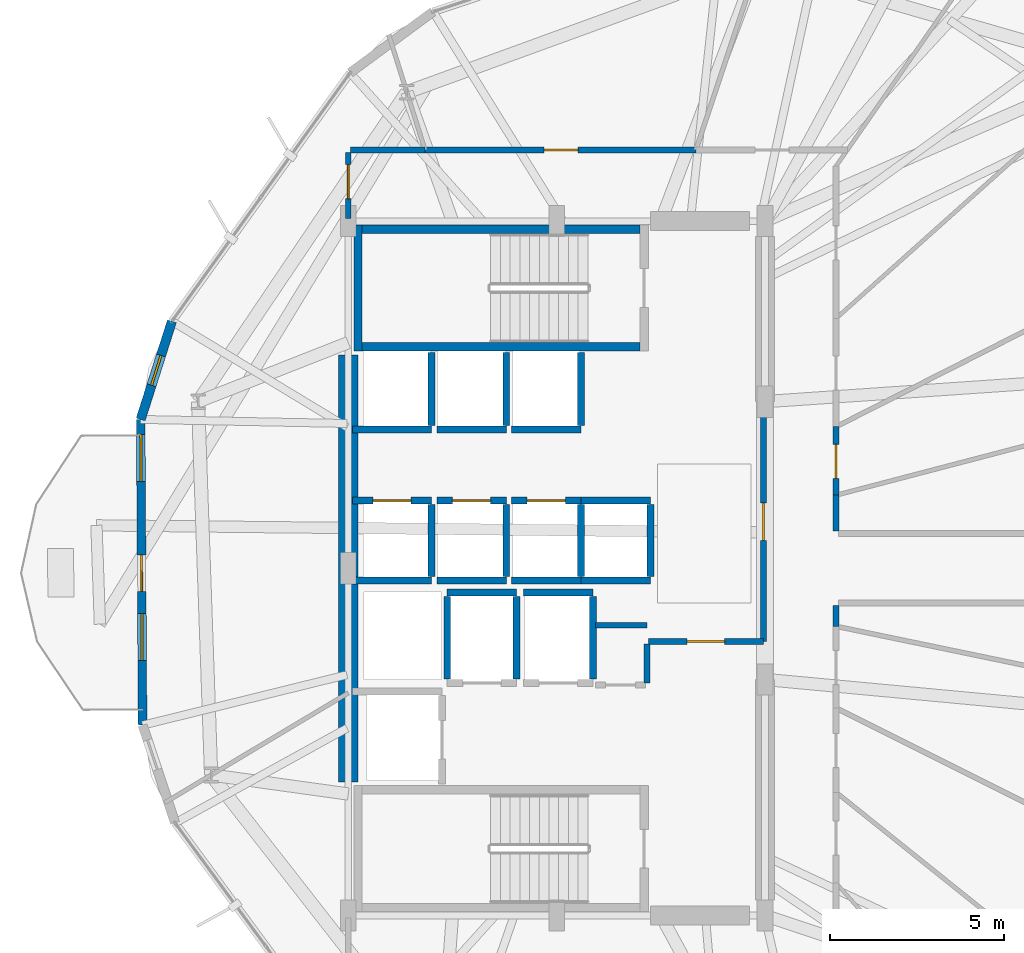
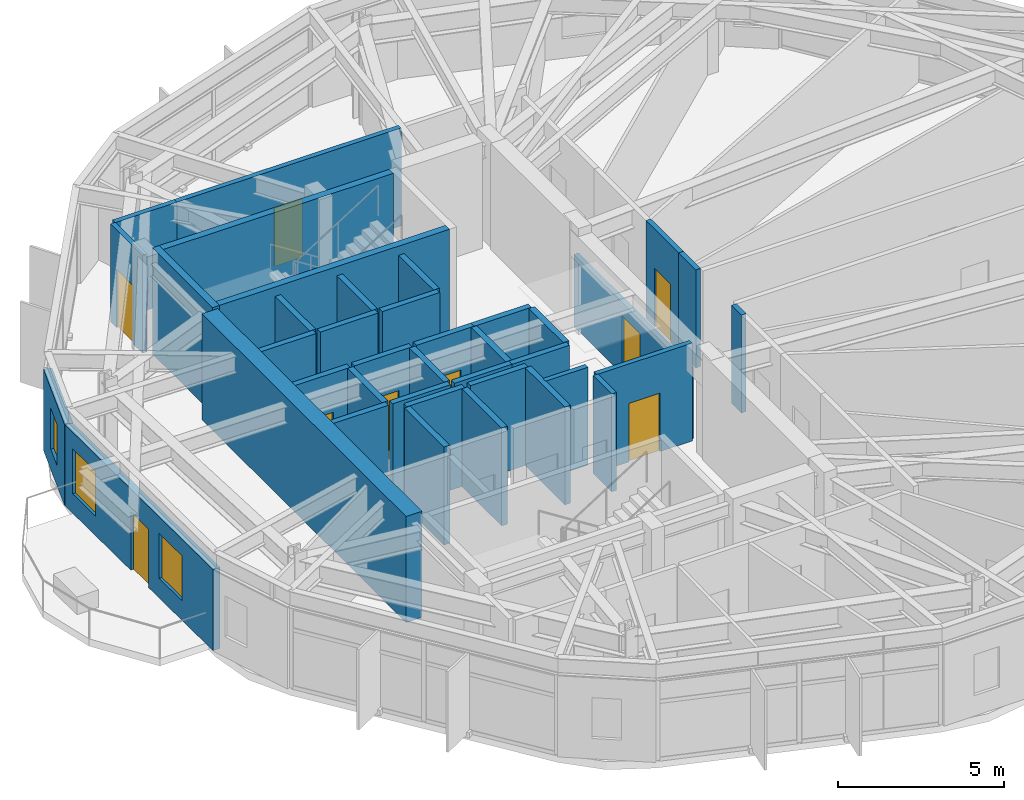
# One storey, part 22 of 27: 39 walls, 9 doors, 3 windows, 12 openings.
"""IFC4 building model written with IfcOpenShell, lengths in metres."""

from ifc_helpers import new_model, si_unit, direction, frame, frame_2d, origin, place, context, subcontext, project, spatial, rectangle, extrude, material, layer, layer_set, type_object, element, fill, save


model = new_model("IFC4")

# Units and contexts
model_context = context("Model", 3, precision=1e-05, world=origin(), true_north=direction((0.0, 1.0)))
body_context = subcontext(model_context, "Body", "Model", "MODEL_VIEW")
ifc_project = project(units=[si_unit("LENGTHUNIT", "METRE"), si_unit("AREAUNIT", "SQUARE_METRE"), si_unit("VOLUMEUNIT", "CUBIC_METRE"), si_unit("PLANEANGLEUNIT", "RADIAN"), si_unit("MASSUNIT", "GRAM", prefix="KILO")], contexts=[model_context])

# Site, building, storey
site_placement = place(None, origin())
site = spatial("IfcSite", under=ifc_project, at=site_placement, CompositionType="ELEMENT")
building_placement = place(site_placement, origin())
building = spatial("IfcBuilding", under=site, at=building_placement, Name="Soratama Intermodal Tower", CompositionType="ELEMENT")
storey_placement = place(building_placement, frame((0.0, 0.0, 99.10009765625)))
storey = spatial("IfcBuildingStorey", under=building, at=storey_placement, Name="L23", CompositionType="ELEMENT", Elevation=99.10009765625)

# Wall, openings, door, windows
ifc_material_1 = material(Name="Concrete f'c 42 MPa", Category="concrete")
ifc_layer_1 = layer(ifc_material_1, 0.25)
ifc_layer_set_1 = layer_set([ifc_layer_1], Name="Concrete f'c 42 MPa")
wall_type_1 = type_object("IfcWallType", Name="EW-BAL-250", PredefinedType="SOLIDWALL", material=ifc_layer_set_1)
wall_1_placement = place(storey_placement, frame((26.620849609375, 29.287841796875, 0.0), z_axis=(0.0, 0.0, 1.0), x_axis=(0.006293019465, -0.999980198757, 0.0)))
wall_1 = element("IfcWall", 1, at=wall_1_placement, inside=storey, type_object=wall_type_1, Name="L23 Terrace Wall F05", PredefinedType="SOLIDWALL", context=body_context, shape_type="SweptSolid", body=[
    extrude(rectangle(XDim=8.806640625, YDim=0.25, at=frame_2d((4.4033203125, 0.0))), origin(), (0.0, 0.0, 1.0), 2.97900390625),
])
opening_1_placement = place(wall_1_placement, frame((3.9033203125, 0.0, 0.0)))
opening_1 = element("IfcOpeningElement", 2, at=opening_1_placement, cuts=wall_1, Name="Opening ED-5", PredefinedType="OPENING", context=body_context, shape_type="SweptSolid", body=[
    extrude(rectangle(XDim=1.050048828125, YDim=2.14990234375, at=frame_2d((0.52490234375, 1.074951171875))), frame((0.0, 0.135009765625, 0.0), z_axis=(0.0, -1.0, 0.0), x_axis=(1.0, 0.0, 0.0)), (0.0, 0.0, 1.0), 0.27001953125),
])
opening_2_placement = place(wall_1_placement, frame((0.43994140625, 0.0, 0.719970703125)))
opening_2 = element("IfcOpeningElement", 3, at=opening_2_placement, cuts=wall_1, Name="Opening WN-4", PredefinedType="OPENING", context=body_context, shape_type="SweptSolid", body=[
    extrude(rectangle(XDim=1.35009765625, YDim=1.64990234375, at=frame_2d((0.675048828125, 0.824951171875))), frame((0.0, 0.135009765625, 0.0), z_axis=(0.0, -1.0, 0.0), x_axis=(1.0, 0.0, 0.0)), (0.0, 0.0, 1.0), 0.27001953125),
])
opening_3_placement = place(wall_1_placement, frame((5.59326171875, 0.0, 0.719970703125)))
opening_3 = element("IfcOpeningElement", 4, at=opening_3_placement, cuts=wall_1, Name="Opening WN-4", PredefinedType="OPENING", context=body_context, shape_type="SweptSolid", body=[
    extrude(rectangle(XDim=1.35009765625, YDim=1.64990234375, at=frame_2d((0.675048828125, 0.824951171875))), frame((0.0, 0.135009765625, 0.0), z_axis=(0.0, -1.0, 0.0), x_axis=(1.0, 0.0, 0.0)), (0.0, 0.0, 1.0), 0.27001953125),
])
ifc_material_2 = material(Name="Double-glazed aluminium door", Category="aluminium")
door_type_1 = type_object("IfcDoorType", Name="DR-BAL-1050", OperationType="NOTDEFINED", PredefinedType="DOOR", material=ifc_material_2)
door_1_placement = place(opening_1_placement, origin())
door_1 = element("IfcDoor", 5, at=door_1_placement, inside=storey, type_object=door_type_1, Name="L23 Balcony Door F05", OperationType="SINGLE_SWING_LEFT", OverallHeight=2.14990234375, OverallWidth=1.050048828125, PredefinedType="DOOR", context=body_context, shape_type="SweptSolid", body=[
    extrude(rectangle(XDim=1.050048828125, YDim=2.14990234375, at=frame_2d((0.52490234375, 1.074951171875))), frame((0.0, 0.02490234375, 0.0), z_axis=(0.0, -1.0, 0.0), x_axis=(1.0, 0.0, 0.0)), (0.0, 0.0, 1.0), 0.050048828125),
])
fill(opening_1, door_1)
ifc_material_3 = material(Name="Double-glazed aluminium window", Category="aluminium")
window_type_1 = type_object("IfcWindowType", Name="WN-FAC-1350", PartitioningType="SINGLE_PANEL", PredefinedType="WINDOW", material=ifc_material_3)
window_1_placement = place(opening_2_placement, origin())
window_1 = element("IfcWindow", 6, at=window_1_placement, inside=storey, type_object=window_type_1, Name="L23 Window A F05", OverallHeight=1.64990234375, OverallWidth=1.35009765625, PartitioningType="SINGLE_PANEL", PredefinedType="WINDOW", context=body_context, shape_type="SweptSolid", body=[
    extrude(rectangle(XDim=1.35009765625, YDim=1.64990234375, at=frame_2d((0.675048828125, 0.824951171875))), frame((0.0, 0.030029296875, 0.0), z_axis=(0.0, -1.0, 0.0), x_axis=(1.0, 0.0, 0.0)), (0.0, 0.0, 1.0), 0.06005859375),
])
fill(opening_2, window_1)
window_2_placement = place(opening_3_placement, origin())
window_2 = element("IfcWindow", 7, at=window_2_placement, inside=storey, type_object=window_type_1, Name="L23 Window B F05", OverallHeight=1.64990234375, OverallWidth=1.35009765625, PartitioningType="SINGLE_PANEL", PredefinedType="WINDOW", context=body_context, shape_type="SweptSolid", body=[
    extrude(rectangle(XDim=1.35009765625, YDim=1.64990234375, at=frame_2d((0.675048828125, 0.824951171875))), frame((0.0, 0.030029296875, 0.0), z_axis=(0.0, -1.0, 0.0), x_axis=(1.0, 0.0, 0.0)), (0.0, 0.0, 1.0), 0.06005859375),
])
fill(opening_3, window_2)

# Wall, opening, window
ifc_material_4 = material(Name="Concrete f'c 42 MPa", Category="concrete")
ifc_layer_2 = layer(ifc_material_4, 0.27001953125)
ifc_layer_set_2 = layer_set([ifc_layer_2], Name="Concrete f'c 42 MPa")
wall_type_2 = type_object("IfcWallType", Name="EW-CRN-270", PredefinedType="SOLIDWALL", material=ifc_layer_set_2)
wall_2_placement = place(storey_placement, frame((27.519775390625, 32.114990234375, 0.0), z_axis=(0.0, 0.0, 1.0), x_axis=(-0.303013428865, -0.952986286327, 0.0)))
wall_2 = element("IfcWall", 8, at=wall_2_placement, inside=storey, type_object=wall_type_2, Name="L23 Corner Closure Wall 04", PredefinedType="SOLIDWALL", context=body_context, shape_type="SweptSolid", body=[
    extrude(rectangle(XDim=2.966552734375, YDim=0.27001953125, at=frame_2d((1.4833984375, 0.0))), origin(), (0.0, 0.0, 1.0), 2.97900390625),
])
opening_4_placement = place(wall_2_placement, frame((1.033203125, 0.0, 0.75)))
opening_4 = element("IfcOpeningElement", 9, at=opening_4_placement, cuts=wall_2, Name="Opening WN-6", PredefinedType="OPENING", context=body_context, shape_type="SweptSolid", body=[
    extrude(rectangle(XDim=0.89990234375, YDim=1.5, at=frame_2d((0.449951171875, 0.75))), frame((0.0, 0.14501953125, 0.0), z_axis=(0.0, -1.0, 0.0), x_axis=(1.0, 0.0, 0.0)), (0.0, 0.0, 1.0), 0.2900390625),
])
ifc_material_5 = material(Name="Double-glazed aluminium window", Category="aluminium")
window_type_2 = type_object("IfcWindowType", Name="WN-FAC-900", PartitioningType="SINGLE_PANEL", PredefinedType="WINDOW", material=ifc_material_5)
window_3_placement = place(opening_4_placement, origin())
window_3 = element("IfcWindow", 10, at=window_3_placement, inside=storey, type_object=window_type_2, Name="L23 Corner Window 04", OverallHeight=1.5, OverallWidth=0.89990234375, PartitioningType="SINGLE_PANEL", PredefinedType="WINDOW", context=body_context, shape_type="SweptSolid", body=[
    extrude(rectangle(XDim=0.89990234375, YDim=1.5, at=frame_2d((0.449951171875, 0.75))), frame((0.0, 0.030029296875, 0.0), z_axis=(0.0, -1.0, 0.0), x_axis=(1.0, 0.0, 0.0)), (0.0, 0.0, 1.0), 0.06005859375),
])
fill(opening_4, window_3)

# Wall, opening, door
ifc_material_6 = material(Name="Fire-rated gypsum stud partition", Category="concrete")
ifc_layer_3 = layer(ifc_material_6, 0.169921875)
ifc_layer_set_3 = layer_set([ifc_layer_3], Name="Fire-rated gypsum stud partition")
wall_type_3 = type_object("IfcWallType", Name="IW-PART-R170", PredefinedType="PARTITIONING", material=ifc_layer_set_3)
wall_3_placement = place(storey_placement, frame((34.81005859375, 37.050048828125, 0.0), z_axis=(0.0, 0.0, 1.0), x_axis=(1.0, 0.0, 0.0)))
wall_3 = element("IfcWall", 11, at=wall_3_placement, inside=storey, type_object=wall_type_3, Name="L23 Partition W-L23-TP010", PredefinedType="PARTITIONING", context=body_context, shape_type="SweptSolid", body=[
    extrude(rectangle(XDim=7.803955078125, YDim=0.169921875, at=frame_2d((3.90185546875, 0.0))), origin(), (0.0, 0.0, 1.0), 3.599853515625),
])
opening_5_placement = place(wall_3_placement, frame((3.427001953125, 0.0, 0.0)))
opening_5 = element("IfcOpeningElement", 12, at=opening_5_placement, cuts=wall_3, Name="Opening ID-5", PredefinedType="OPENING", context=body_context, shape_type="SweptSolid", body=[
    extrude(rectangle(XDim=0.97998046875, YDim=2.14990234375, at=frame_2d((0.489990234375, 1.074951171875))), frame((0.0, 0.094970703125, 0.0), z_axis=(0.0, -1.0, 0.0), x_axis=(1.0, 0.0, 0.0)), (0.0, 0.0, 1.0), 0.18994140625),
])
ifc_material_7 = material(Name="Solid hardwood acoustic door", Category="wood")
door_type_2 = type_object("IfcDoorType", Name="DR-OFF-980", OperationType="NOTDEFINED", PredefinedType="DOOR", material=ifc_material_7)
door_2_placement = place(opening_5_placement, origin())
door_2 = element("IfcDoor", 13, at=door_2_placement, inside=storey, type_object=door_type_2, Name="L23 Door D-L23-TP003", OperationType="SINGLE_SWING_RIGHT", OverallHeight=2.14990234375, OverallWidth=0.97998046875, PredefinedType="DOOR", context=body_context, shape_type="SweptSolid", body=[
    extrude(rectangle(XDim=0.97998046875, YDim=2.14990234375, at=frame_2d((0.489990234375, 1.074951171875))), frame((0.0, 0.02490234375, 0.0), z_axis=(0.0, -1.0, 0.0), x_axis=(1.0, 0.0, 0.0)), (0.0, 0.0, 1.0), 0.050048828125),
])
fill(opening_5, door_2)

wall_4_placement = place(storey_placement, frame((44.56005859375, 29.800048828125, 0.0), z_axis=(0.0, 0.0, 1.0), x_axis=(0.0, -1.0, 0.0)))
wall_4 = element("IfcWall", 14, at=wall_4_placement, inside=storey, type_object=wall_type_3, Name="L23 Partition W-L23-TP014", PredefinedType="PARTITIONING", context=body_context, shape_type="SweptSolid", body=[
    extrude(rectangle(XDim=6.91015625, YDim=0.169921875, at=frame_2d((3.455078125, 0.0))), origin(), (0.0, 0.0, 1.0), 2.639892578125),
])
opening_6_placement = place(wall_4_placement, frame((2.9150390625, 0.0, 0.0)))
opening_6 = element("IfcOpeningElement", 15, at=opening_6_placement, cuts=wall_4, Name="Opening ID-1", PredefinedType="OPENING", context=body_context, shape_type="SweptSolid", body=[
    extrude(rectangle(XDim=1.080078125, YDim=2.14990234375, at=frame_2d((0.5400390625, 1.074951171875))), frame((0.0, 0.094970703125, 0.0), z_axis=(0.0, -1.0, 0.0), x_axis=(1.0, 0.0, 0.0)), (0.0, 0.0, 1.0), 0.18994140625),
])
ifc_material_8 = material(Name="Solid hardwood acoustic door", Category="wood")
door_type_3 = type_object("IfcDoorType", Name="DR-LOB-FD60", OperationType="NOTDEFINED", PredefinedType="DOOR", material=ifc_material_8)
door_3_placement = place(opening_6_placement, origin())
door_3 = element("IfcDoor", 16, at=door_3_placement, inside=storey, type_object=door_type_3, Name="L23 Door D-L23-TP004", OperationType="SINGLE_SWING_LEFT", OverallHeight=2.14990234375, OverallWidth=1.080078125, PredefinedType="DOOR", context=body_context, shape_type="SweptSolid", body=[
    extrude(rectangle(XDim=1.080078125, YDim=2.14990234375, at=frame_2d((0.5400390625, 1.074951171875))), frame((0.0, 0.02490234375, 0.0), z_axis=(0.0, -1.0, 0.0), x_axis=(1.0, 0.0, 0.0)), (0.0, 0.0, 1.0), 0.050048828125),
])
fill(opening_6, door_3)

wall_5_placement = place(storey_placement, frame((41.239990234375, 22.889892578125, 0.0), z_axis=(0.0, 0.0, 1.0), x_axis=(1.0, 0.0, 0.0)))
wall_5 = element("IfcWall", 17, at=wall_5_placement, inside=storey, type_object=wall_type_3, Name="L23 Partition W-L23-TP023", PredefinedType="PARTITIONING", context=body_context, shape_type="SweptSolid", body=[
    extrude(rectangle(XDim=3.320068359375, YDim=0.169921875, at=frame_2d((1.66015625, 0.0))), origin(), (0.0, 0.0, 1.0), 3.599853515625),
])
opening_7_placement = place(wall_5_placement, frame((1.1201171875, 0.0, 0.0)))
opening_7 = element("IfcOpeningElement", 18, at=opening_7_placement, cuts=wall_5, Name="Opening ID-0", PredefinedType="OPENING", context=body_context, shape_type="SweptSolid", body=[
    extrude(rectangle(XDim=1.080078125, YDim=2.14990234375, at=frame_2d((0.5400390625, 1.074951171875))), frame((0.0, 0.094970703125, 0.0), z_axis=(0.0, -1.0, 0.0), x_axis=(1.0, 0.0, 0.0)), (0.0, 0.0, 1.0), 0.18994140625),
])
ifc_material_9 = material(Name="Solid hardwood acoustic door", Category="wood")
door_type_4 = type_object("IfcDoorType", Name="DR-LOB-FD90", OperationType="NOTDEFINED", PredefinedType="DOOR", material=ifc_material_9)
door_4_placement = place(opening_7_placement, origin())
door_4 = element("IfcDoor", 19, at=door_4_placement, inside=storey, type_object=door_type_4, Name="L23 Door D-L23-TP007", OperationType="SINGLE_SWING_RIGHT", OverallHeight=2.14990234375, OverallWidth=1.080078125, PredefinedType="DOOR", context=body_context, shape_type="SweptSolid", body=[
    extrude(rectangle(XDim=1.080078125, YDim=2.14990234375, at=frame_2d((0.5400390625, 1.074951171875))), frame((0.0, 0.02490234375, 0.0), z_axis=(0.0, -1.0, 0.0), x_axis=(1.0, 0.0, 0.0)), (0.0, 0.0, 1.0), 0.050048828125),
])
fill(opening_7, door_4)

# Wall
wall_6_placement = place(storey_placement, frame((32.669921875, 37.050048828125, 0.0), z_axis=(0.0, 0.0, 1.0), x_axis=(1.0, 0.0, 0.0)))
element("IfcWall", 20, at=wall_6_placement, inside=storey, type_object=wall_type_3, Name="L23 Partition W-L23-TP033", PredefinedType="PARTITIONING", context=body_context, shape_type="SweptSolid", body=[
    extrude(rectangle(XDim=2.14013671875, YDim=0.169921875, at=frame_2d((1.070068359375, 0.0))), origin(), (0.0, 0.0, 1.0), 3.599853515625),
])

# Wall, opening, door
wall_7_placement = place(storey_placement, frame((46.64990234375, 29.0791015625, 0.0), z_axis=(0.0, 0.0, 1.0), x_axis=(0.0, -1.0, 0.0)))
wall_7 = element("IfcWall", 21, at=wall_7_placement, inside=storey, type_object=wall_type_3, Name="L23 Partition W-L23-TP034", PredefinedType="PARTITIONING", context=body_context, shape_type="SweptSolid", body=[
    extrude(rectangle(XDim=1.97314453125, YDim=0.169921875, at=frame_2d((0.986572265625, 0.0))), origin(), (0.0, 0.0, 1.0), 3.599853515625),
])
opening_8_placement = place(wall_7_placement, frame((0.510986328125, 0.0, 0.0)))
opening_8 = element("IfcOpeningElement", 22, at=opening_8_placement, cuts=wall_7, Name="Opening ID-5", PredefinedType="OPENING", context=body_context, shape_type="SweptSolid", body=[
    extrude(rectangle(XDim=0.97998046875, YDim=2.14990234375, at=frame_2d((0.489990234375, 1.074951171875))), frame((0.0, 0.094970703125, 0.0), z_axis=(0.0, -1.0, 0.0), x_axis=(1.0, 0.0, 0.0)), (0.0, 0.0, 1.0), 0.18994140625),
])
door_5_placement = place(opening_8_placement, origin())
door_5 = element("IfcDoor", 23, at=door_5_placement, inside=storey, type_object=door_type_2, Name="L23 Door D-L23-TP017", OperationType="SINGLE_SWING_RIGHT", OverallHeight=2.14990234375, OverallWidth=0.97998046875, PredefinedType="DOOR", context=body_context, shape_type="SweptSolid", body=[
    extrude(rectangle(XDim=0.97998046875, YDim=2.14990234375, at=frame_2d((0.489990234375, 1.074951171875))), frame((0.0, 0.02490234375, 0.0), z_axis=(0.0, -1.0, 0.0), x_axis=(1.0, 0.0, 0.0)), (0.0, 0.0, 1.0), 0.050048828125),
])
fill(opening_8, door_5)

wall_8_placement = place(storey_placement, frame((32.60009765625, 35.070068359375, 0.0), z_axis=(0.0, 0.0, 1.0), x_axis=(0.0, 1.0, 0.0)))
wall_8 = element("IfcWall", 24, at=wall_8_placement, inside=storey, type_object=wall_type_3, Name="L23 Partition W-L23-TP036", PredefinedType="PARTITIONING", context=body_context, shape_type="SweptSolid", body=[
    extrude(rectangle(XDim=1.909912109375, YDim=0.169921875, at=frame_2d((0.955078125, 0.0))), origin(), (0.0, 0.0, 1.0), 3.599853515625),
])
opening_9_placement = place(wall_8_placement, frame((0.574951171875, 0.0, 0.0)))
opening_9 = element("IfcOpeningElement", 25, at=opening_9_placement, cuts=wall_8, Name="Opening ID-5", PredefinedType="OPENING", context=body_context, shape_type="SweptSolid", body=[
    extrude(rectangle(XDim=0.97998046875, YDim=2.14990234375, at=frame_2d((0.489990234375, 1.074951171875))), frame((0.0, 0.094970703125, 0.0), z_axis=(0.0, -1.0, 0.0), x_axis=(1.0, 0.0, 0.0)), (0.0, 0.0, 1.0), 0.18994140625),
])
door_6_placement = place(opening_9_placement, origin())
door_6 = element("IfcDoor", 26, at=door_6_placement, inside=storey, type_object=door_type_2, Name="L23 Door D-L23-TP018", OperationType="SINGLE_SWING_LEFT", OverallHeight=2.14990234375, OverallWidth=0.97998046875, PredefinedType="DOOR", context=body_context, shape_type="SweptSolid", body=[
    extrude(rectangle(XDim=0.97998046875, YDim=2.14990234375, at=frame_2d((0.489990234375, 1.074951171875))), frame((0.0, 0.02490234375, 0.0), z_axis=(0.0, -1.0, 0.0), x_axis=(1.0, 0.0, 0.0)), (0.0, 0.0, 1.0), 0.050048828125),
])
fill(opening_9, door_6)

# Walls
wall_9_placement = place(storey_placement, frame((41.199951171875, 21.699951171875, 0.0), z_axis=(0.0, 0.0, 1.0), x_axis=(0.0, 1.0, 0.0)))
element("IfcWall", 27, at=wall_9_placement, inside=storey, type_object=wall_type_3, Name="L23 Partition W-L23-TP038", PredefinedType="PARTITIONING", context=body_context, shape_type="SweptSolid", body=[
    extrude(rectangle(XDim=1.1201171875, YDim=0.169921875, at=frame_2d((0.56005859375, 0.0))), origin(), (0.0, 0.0, 1.0), 3.599853515625),
])
wall_10_placement = place(storey_placement, frame((46.64990234375, 27.10595703125, 0.0), z_axis=(0.0, 0.0, 1.0), x_axis=(0.0, -1.0, 0.0)))
element("IfcWall", 28, at=wall_10_placement, inside=storey, type_object=wall_type_3, Name="L23 Partition W-L23-TP039", PredefinedType="PARTITIONING", context=body_context, shape_type="SweptSolid", body=[
    extrude(rectangle(XDim=1.035888671875, YDim=0.169921875, at=frame_2d((0.51806640625, 0.0))), origin(), (0.0, 0.0, 1.0), 3.599853515625),
])
wall_11_placement = place(storey_placement, frame((46.64990234375, 23.929931640625, 0.0), z_axis=(0.0, 0.0, 1.0), x_axis=(0.0, -1.0, 0.0)))
element("IfcWall", 29, at=wall_11_placement, inside=storey, type_object=wall_type_3, Name="L23 Partition W-L23-TP040", PredefinedType="PARTITIONING", context=body_context, shape_type="SweptSolid", body=[
    extrude(rectangle(XDim=0.599853515625, YDim=0.169921875, at=frame_2d((0.2998046875, 0.0))), origin(), (0.0, 0.0, 1.0), 3.599853515625),
])
wall_12_placement = place(storey_placement, frame((41.199951171875, 23.360107421875, 0.0), z_axis=(0.0, 0.0, 1.0), x_axis=(-1.0, 0.0, 0.0)))
element("IfcWall", 30, at=wall_12_placement, inside=storey, type_object=wall_type_3, Name="L23 Partition W-L23-TP042", PredefinedType="PARTITIONING", context=body_context, shape_type="SweptSolid", body=[
    extrude(rectangle(XDim=1.47998046875, YDim=0.169921875, at=frame_2d((0.739990234375, 0.0))), origin(), (0.0, 0.0, 1.0), 3.599853515625),
])
ifc_material_10 = material(Name="Concrete f'c 42 MPa", Category="concrete")
ifc_layer_4 = layer(ifc_material_10, 0.199951171875)
ifc_layer_set_4 = layer_set([ifc_layer_4], Name="Concrete f'c 42 MPa")
wall_type_4 = type_object("IfcWallType", Name="IW-SHAFT-200", PredefinedType="SOLIDWALL", material=ifc_layer_set_4)
wall_13_placement = place(storey_placement, frame((35.449951171875, 24.300048828125, 0.0), z_axis=(0.0, 0.0, 1.0), x_axis=(1.0, 0.0, 0.0)))
element("IfcWall", 31, at=wall_13_placement, inside=storey, type_object=wall_type_4, Name="L23 FFL-1 Hoistway Wall N", PredefinedType="SOLIDWALL", context=body_context, shape_type="SweptSolid", body=[
    extrude(rectangle(XDim=2.0, YDim=0.199951171875, at=frame_2d((1.0, 0.0))), origin(), (0.0, 0.0, 1.0), 3.599853515625),
])
for number, where, z_axis, x_axis, name in (
    (32, (35.449951171875, 21.81005859375, 0.0), (0.0, 0.0, 1.0), (0.0, 1.0, 0.0), "L23 FFL-1 Hoistway Wall W"),
    (33, (37.449951171875, 21.81005859375, 0.0), (0.0, 0.0, 1.0), (0.0, 1.0, 0.0), "L23 FFL-1 Hoistway Wall E"),
):
    element("IfcWall", number, at=place(storey_placement, frame(where, z_axis=z_axis, x_axis=x_axis)), inside=storey, type_object=wall_type_4, Name=name, PredefinedType="SOLIDWALL", context=body_context, shape_type="SweptSolid", body=[
        extrude(rectangle(XDim=2.3798828125, YDim=0.199951171875, at=frame_2d((1.18994140625, 0.0))), origin(), (0.0, 0.0, 1.0), 3.599853515625),
    ])
wall_14_placement = place(storey_placement, frame((37.64990234375, 24.300048828125, 0.0), z_axis=(0.0, 0.0, 1.0), x_axis=(1.0, 0.0, 0.0)))
element("IfcWall", 34, at=wall_14_placement, inside=storey, type_object=wall_type_4, Name="L23 FFL-2 Hoistway Wall N", PredefinedType="SOLIDWALL", context=body_context, shape_type="SweptSolid", body=[
    extrude(rectangle(XDim=2.0, YDim=0.199951171875, at=frame_2d((1.0, 0.0))), origin(), (0.0, 0.0, 1.0), 3.599853515625),
])
wall_15_placement = place(storey_placement, frame((39.64990234375, 21.81005859375, 0.0), z_axis=(0.0, 0.0, 1.0), x_axis=(0.0, 1.0, 0.0)))
element("IfcWall", 35, at=wall_15_placement, inside=storey, type_object=wall_type_4, Name="L23 FFL-2 Hoistway Wall E", PredefinedType="SOLIDWALL", context=body_context, shape_type="SweptSolid", body=[
    extrude(rectangle(XDim=2.3798828125, YDim=0.199951171875, at=frame_2d((1.18994140625, 0.0))), origin(), (0.0, 0.0, 1.0), 3.599853515625),
])
wall_16_placement = place(storey_placement, frame((32.719970703125, 24.64990234375, 0.0), z_axis=(0.0, 0.0, 1.0), x_axis=(1.0, 0.0, 0.0)))
element("IfcWall", 36, at=wall_16_placement, inside=storey, type_object=wall_type_4, Name="L23 PL-L1 Hoistway Wall S", PredefinedType="SOLIDWALL", context=body_context, shape_type="SweptSolid", body=[
    extrude(rectangle(XDim=2.280029296875, YDim=0.199951171875, at=frame_2d((1.14013671875, 0.0))), origin(), (0.0, 0.0, 1.0), 3.599853515625),
])

# Wall, opening, door
wall_17_placement = place(storey_placement, frame((32.719970703125, 26.949951171875, 0.0), z_axis=(0.0, 0.0, 1.0), x_axis=(1.0, 0.0, 0.0)))
wall_17 = element("IfcWall", 37, at=wall_17_placement, inside=storey, type_object=wall_type_4, Name="L23 PL-L1 Hoistway Wall N", PredefinedType="SOLIDWALL", context=body_context, shape_type="SweptSolid", body=[
    extrude(rectangle(XDim=2.280029296875, YDim=0.199951171875, at=frame_2d((1.14013671875, 0.0))), origin(), (0.0, 0.0, 1.0), 3.599853515625),
])
opening_10_placement = place(wall_17_placement, frame((0.590087890625, 0.0, 0.0)))
opening_10 = element("IfcOpeningElement", 38, at=opening_10_placement, cuts=wall_17, Name="Opening LD-1", PredefinedType="OPENING", context=body_context, shape_type="SweptSolid", body=[
    extrude(rectangle(XDim=1.10009765625, YDim=2.14990234375, at=frame_2d((0.550048828125, 1.074951171875))), frame((0.0, 0.10986328125, 0.0), z_axis=(0.0, -1.0, 0.0), x_axis=(1.0, 0.0, 0.0)), (0.0, 0.0, 1.0), 0.219970703125),
])
ifc_material_11 = material(Name="Steel fire door", Category="steel")
door_type_5 = type_object("IfcDoorType", Name="DR-LIFT-SLIDE", OperationType="NOTDEFINED", PredefinedType="DOOR", material=ifc_material_11)
door_7_placement = place(opening_10_placement, origin())
door_7 = element("IfcDoor", 39, at=door_7_placement, inside=storey, type_object=door_type_5, Name="L23 PL-L1 Sliding Landing Door", OperationType="SLIDING_TO_LEFT", OverallHeight=2.14990234375, OverallWidth=1.10009765625, PredefinedType="DOOR", context=body_context, shape_type="SweptSolid", body=[
    extrude(rectangle(XDim=1.10009765625, YDim=2.14990234375, at=frame_2d((0.550048828125, 1.074951171875))), frame((0.0, 0.02490234375, 0.0), z_axis=(0.0, -1.0, 0.0), x_axis=(1.0, 0.0, 0.0)), (0.0, 0.0, 1.0), 0.050048828125),
])
fill(opening_10, door_7)

# Walls
wall_18_placement = place(storey_placement, frame((35.0, 24.760009765625, 0.0), z_axis=(0.0, 0.0, 1.0), x_axis=(0.0, 1.0, 0.0)))
element("IfcWall", 40, at=wall_18_placement, inside=storey, type_object=wall_type_4, Name="L23 PL-L1 Hoistway Wall E", PredefinedType="SOLIDWALL", context=body_context, shape_type="SweptSolid", body=[
    extrude(rectangle(XDim=2.080078125, YDim=0.199951171875, at=frame_2d((1.0400390625, 0.0))), origin(), (0.0, 0.0, 1.0), 3.599853515625),
])
wall_19_placement = place(storey_placement, frame((35.14990234375, 24.64990234375, 0.0), z_axis=(0.0, 0.0, 1.0), x_axis=(1.0, 0.0, 0.0)))
element("IfcWall", 41, at=wall_19_placement, inside=storey, type_object=wall_type_4, Name="L23 PL-L2 Hoistway Wall S", PredefinedType="SOLIDWALL", context=body_context, shape_type="SweptSolid", body=[
    extrude(rectangle(XDim=2.0, YDim=0.199951171875, at=frame_2d((1.0, 0.0))), origin(), (0.0, 0.0, 1.0), 3.599853515625),
])

# Wall, opening, door
wall_20_placement = place(storey_placement, frame((35.14990234375, 26.949951171875, 0.0), z_axis=(0.0, 0.0, 1.0), x_axis=(1.0, 0.0, 0.0)))
wall_20 = element("IfcWall", 42, at=wall_20_placement, inside=storey, type_object=wall_type_4, Name="L23 PL-L2 Hoistway Wall N", PredefinedType="SOLIDWALL", context=body_context, shape_type="SweptSolid", body=[
    extrude(rectangle(XDim=2.0, YDim=0.199951171875, at=frame_2d((1.0, 0.0))), origin(), (0.0, 0.0, 1.0), 3.599853515625),
])
opening_11_placement = place(wall_20_placement, frame((0.449951171875, 0.0, 0.0)))
opening_11 = element("IfcOpeningElement", 43, at=opening_11_placement, cuts=wall_20, Name="Opening LD-1", PredefinedType="OPENING", context=body_context, shape_type="SweptSolid", body=[
    extrude(rectangle(XDim=1.10009765625, YDim=2.14990234375, at=frame_2d((0.550048828125, 1.074951171875))), frame((0.0, 0.10986328125, 0.0), z_axis=(0.0, -1.0, 0.0), x_axis=(1.0, 0.0, 0.0)), (0.0, 0.0, 1.0), 0.219970703125),
])
door_8_placement = place(opening_11_placement, origin())
door_8 = element("IfcDoor", 44, at=door_8_placement, inside=storey, type_object=door_type_5, Name="L23 PL-L2 Sliding Landing Door", OperationType="SLIDING_TO_LEFT", OverallHeight=2.14990234375, OverallWidth=1.10009765625, PredefinedType="DOOR", context=body_context, shape_type="SweptSolid", body=[
    extrude(rectangle(XDim=1.10009765625, YDim=2.14990234375, at=frame_2d((0.550048828125, 1.074951171875))), frame((0.0, 0.02490234375, 0.0), z_axis=(0.0, -1.0, 0.0), x_axis=(1.0, 0.0, 0.0)), (0.0, 0.0, 1.0), 0.050048828125),
])
fill(opening_11, door_8)

# Walls
wall_21_placement = place(storey_placement, frame((37.14990234375, 24.760009765625, 0.0), z_axis=(0.0, 0.0, 1.0), x_axis=(0.0, 1.0, 0.0)))
element("IfcWall", 45, at=wall_21_placement, inside=storey, type_object=wall_type_4, Name="L23 PL-L2 Hoistway Wall E", PredefinedType="SOLIDWALL", context=body_context, shape_type="SweptSolid", body=[
    extrude(rectangle(XDim=2.080078125, YDim=0.199951171875, at=frame_2d((1.0400390625, 0.0))), origin(), (0.0, 0.0, 1.0), 3.599853515625),
])
wall_22_placement = place(storey_placement, frame((37.300048828125, 24.64990234375, 0.0), z_axis=(0.0, 0.0, 1.0), x_axis=(1.0, 0.0, 0.0)))
element("IfcWall", 46, at=wall_22_placement, inside=storey, type_object=wall_type_4, Name="L23 PL-L3 Hoistway Wall S", PredefinedType="SOLIDWALL", context=body_context, shape_type="SweptSolid", body=[
    extrude(rectangle(XDim=2.0, YDim=0.199951171875, at=frame_2d((1.0, 0.0))), origin(), (0.0, 0.0, 1.0), 3.599853515625),
])

# Wall, opening, door
wall_23_placement = place(storey_placement, frame((37.300048828125, 26.949951171875, 0.0), z_axis=(0.0, 0.0, 1.0), x_axis=(1.0, 0.0, 0.0)))
wall_23 = element("IfcWall", 47, at=wall_23_placement, inside=storey, type_object=wall_type_4, Name="L23 PL-L3 Hoistway Wall N", PredefinedType="SOLIDWALL", context=body_context, shape_type="SweptSolid", body=[
    extrude(rectangle(XDim=2.0, YDim=0.199951171875, at=frame_2d((1.0, 0.0))), origin(), (0.0, 0.0, 1.0), 3.599853515625),
])
opening_12_placement = place(wall_23_placement, frame((0.449951171875, 0.0, 0.0)))
opening_12 = element("IfcOpeningElement", 48, at=opening_12_placement, cuts=wall_23, Name="Opening LD-1", PredefinedType="OPENING", context=body_context, shape_type="SweptSolid", body=[
    extrude(rectangle(XDim=1.10009765625, YDim=2.14990234375, at=frame_2d((0.550048828125, 1.074951171875))), frame((0.0, 0.10986328125, 0.0), z_axis=(0.0, -1.0, 0.0), x_axis=(1.0, 0.0, 0.0)), (0.0, 0.0, 1.0), 0.219970703125),
])
door_9_placement = place(opening_12_placement, origin())
door_9 = element("IfcDoor", 49, at=door_9_placement, inside=storey, type_object=door_type_5, Name="L23 PL-L3 Sliding Landing Door", OperationType="SLIDING_TO_LEFT", OverallHeight=2.14990234375, OverallWidth=1.10009765625, PredefinedType="DOOR", context=body_context, shape_type="SweptSolid", body=[
    extrude(rectangle(XDim=1.10009765625, YDim=2.14990234375, at=frame_2d((0.550048828125, 1.074951171875))), frame((0.0, 0.02490234375, 0.0), z_axis=(0.0, -1.0, 0.0), x_axis=(1.0, 0.0, 0.0)), (0.0, 0.0, 1.0), 0.050048828125),
])
fill(opening_12, door_9)

# Walls
wall_24_placement = place(storey_placement, frame((39.300048828125, 24.760009765625, 0.0), z_axis=(0.0, 0.0, 1.0), x_axis=(0.0, 1.0, 0.0)))
element("IfcWall", 50, at=wall_24_placement, inside=storey, type_object=wall_type_4, Name="L23 PL-L3 Hoistway Wall E", PredefinedType="SOLIDWALL", context=body_context, shape_type="SweptSolid", body=[
    extrude(rectangle(XDim=2.080078125, YDim=0.199951171875, at=frame_2d((1.0400390625, 0.0))), origin(), (0.0, 0.0, 1.0), 3.599853515625),
])
for number, where, z_axis, x_axis, name in (
    (51, (39.300048828125, 24.64990234375, 0.0), (0.0, 0.0, 1.0), (1.0, 0.0, 0.0), "L23 PL-M1 Hoistway Wall S"),
    (52, (39.300048828125, 26.949951171875, 0.0), (0.0, 0.0, 1.0), (1.0, 0.0, 0.0), "L23 PL-M1 Hoistway Wall N"),
):
    element("IfcWall", number, at=place(storey_placement, frame(where, z_axis=z_axis, x_axis=x_axis)), inside=storey, type_object=wall_type_4, Name=name, PredefinedType="SOLIDWALL", context=body_context, shape_type="SweptSolid", body=[
        extrude(rectangle(XDim=2.0, YDim=0.199951171875, at=frame_2d((1.0, 0.0))), origin(), (0.0, 0.0, 1.0), 3.599853515625),
    ])
wall_25_placement = place(storey_placement, frame((41.300048828125, 24.760009765625, 0.0), z_axis=(0.0, 0.0, 1.0), x_axis=(0.0, 1.0, 0.0)))
element("IfcWall", 53, at=wall_25_placement, inside=storey, type_object=wall_type_4, Name="L23 PL-M1 Hoistway Wall E", PredefinedType="SOLIDWALL", context=body_context, shape_type="SweptSolid", body=[
    extrude(rectangle(XDim=2.080078125, YDim=0.199951171875, at=frame_2d((1.0400390625, 0.0))), origin(), (0.0, 0.0, 1.0), 3.599853515625),
])
wall_26_placement = place(storey_placement, frame((32.719970703125, 29.0, 0.0), z_axis=(0.0, 0.0, 1.0), x_axis=(1.0, 0.0, 0.0)))
element("IfcWall", 54, at=wall_26_placement, inside=storey, type_object=wall_type_4, Name="L23 PL-M2 Hoistway Wall S", PredefinedType="SOLIDWALL", context=body_context, shape_type="SweptSolid", body=[
    extrude(rectangle(XDim=2.280029296875, YDim=0.199951171875, at=frame_2d((1.14013671875, 0.0))), origin(), (0.0, 0.0, 1.0), 3.599853515625),
])
wall_27_placement = place(storey_placement, frame((35.0, 29.110107421875, 0.0), z_axis=(0.0, 0.0, 1.0), x_axis=(0.0, 1.0, 0.0)))
element("IfcWall", 55, at=wall_27_placement, inside=storey, type_object=wall_type_4, Name="L23 PL-M2 Hoistway Wall E", PredefinedType="SOLIDWALL", context=body_context, shape_type="SweptSolid", body=[
    extrude(rectangle(XDim=2.099853515625, YDim=0.199951171875, at=frame_2d((1.0498046875, 0.0))), origin(), (0.0, 0.0, 1.0), 3.599853515625),
])
wall_28_placement = place(storey_placement, frame((35.14990234375, 29.0, 0.0), z_axis=(0.0, 0.0, 1.0), x_axis=(1.0, 0.0, 0.0)))
element("IfcWall", 56, at=wall_28_placement, inside=storey, type_object=wall_type_4, Name="L23 PL-H1 Hoistway Wall S", PredefinedType="SOLIDWALL", context=body_context, shape_type="SweptSolid", body=[
    extrude(rectangle(XDim=2.0, YDim=0.199951171875, at=frame_2d((1.0, 0.0))), origin(), (0.0, 0.0, 1.0), 3.599853515625),
])
wall_29_placement = place(storey_placement, frame((37.14990234375, 29.110107421875, 0.0), z_axis=(0.0, 0.0, 1.0), x_axis=(0.0, 1.0, 0.0)))
element("IfcWall", 57, at=wall_29_placement, inside=storey, type_object=wall_type_4, Name="L23 PL-H1 Hoistway Wall E", PredefinedType="SOLIDWALL", context=body_context, shape_type="SweptSolid", body=[
    extrude(rectangle(XDim=2.099853515625, YDim=0.199951171875, at=frame_2d((1.0498046875, 0.0))), origin(), (0.0, 0.0, 1.0), 3.599853515625),
])
wall_30_placement = place(storey_placement, frame((37.300048828125, 29.0, 0.0), z_axis=(0.0, 0.0, 1.0), x_axis=(1.0, 0.0, 0.0)))
element("IfcWall", 58, at=wall_30_placement, inside=storey, type_object=wall_type_4, Name="L23 PL-H2 Hoistway Wall S", PredefinedType="SOLIDWALL", context=body_context, shape_type="SweptSolid", body=[
    extrude(rectangle(XDim=2.0, YDim=0.199951171875, at=frame_2d((1.0, 0.0))), origin(), (0.0, 0.0, 1.0), 3.599853515625),
])
wall_31_placement = place(storey_placement, frame((39.300048828125, 29.110107421875, 0.0), z_axis=(0.0, 0.0, 1.0), x_axis=(0.0, 1.0, 0.0)))
element("IfcWall", 59, at=wall_31_placement, inside=storey, type_object=wall_type_4, Name="L23 PL-H2 Hoistway Wall E", PredefinedType="SOLIDWALL", context=body_context, shape_type="SweptSolid", body=[
    extrude(rectangle(XDim=2.099853515625, YDim=0.199951171875, at=frame_2d((1.0498046875, 0.0))), origin(), (0.0, 0.0, 1.0), 3.599853515625),
])
ifc_material_12 = material(Name="Concrete f'c 56 MPa", Category="concrete")
ifc_layer_5 = layer(ifc_material_12, 0.550048828125)
ifc_layer_set_5 = layer_set([ifc_layer_5], Name="Concrete f'c 56 MPa")
wall_type_5 = type_object("IfcWallType", Name="SW-CORE-550", PredefinedType="SHEAR", material=ifc_layer_set_5)
wall_32_placement = place(storey_placement, frame((32.60009765625, 18.85009765625, 0.0), z_axis=(0.0, 0.0, 1.0), x_axis=(0.0, 1.0, 0.0)))
element("IfcWall", 60, at=wall_32_placement, inside=storey, type_object=wall_type_5, Name="L23 Core Shear Wall CW-WMID", PredefinedType="SHEAR", context=body_context, shape_type="SweptSolid", body=[
    extrude(rectangle(XDim=12.2998046875, YDim=0.550048828125, at=frame_2d((6.14990234375, 0.0))), origin(), (0.0, 0.0, 1.0), 3.89990234375),
])
ifc_material_13 = material(Name="Concrete f'c 56 MPa", Category="concrete")
ifc_layer_6 = layer(ifc_material_13, 0.239990234375)
ifc_layer_set_6 = layer_set([ifc_layer_6], Name="Concrete f'c 56 MPa")
wall_type_6 = type_object("IfcWallType", Name="SW-STAIR-240", PredefinedType="SHEAR", material=ifc_layer_set_6)
wall_33_placement = place(storey_placement, frame((32.8798828125, 31.260009765625, 0.0), z_axis=(0.0, 0.0, 1.0), x_axis=(0.0, 1.0, 0.0)))
element("IfcWall", 61, at=wall_33_placement, inside=storey, type_object=wall_type_6, Name="L23 ST-2 Shaft Shear Wall W", PredefinedType="SHEAR", context=body_context, shape_type="SweptSolid", body=[
    extrude(rectangle(XDim=3.6298828125, YDim=0.239990234375, at=frame_2d((1.81494140625, 0.0))), origin(), (0.0, 0.0, 1.0), 3.89990234375),
])
for number, where, z_axis, x_axis, name in (
    (62, (33.0, 31.3798828125, 0.0), (0.0, 0.0, 1.0), (1.0, 0.0, 0.0), "L23 ST-2 Shaft Shear Wall S"),
    (63, (33.0, 34.77001953125, 0.0), (0.0, 0.0, 1.0), (1.0, 0.0, 0.0), "L23 ST-2 Shaft Shear Wall N"),
):
    element("IfcWall", number, at=place(storey_placement, frame(where, z_axis=z_axis, x_axis=x_axis)), inside=storey, type_object=wall_type_6, Name=name, PredefinedType="SHEAR", context=body_context, shape_type="SweptSolid", body=[
        extrude(rectangle(XDim=8.0, YDim=0.239990234375, at=frame_2d((4.0, 0.0))), origin(), (0.0, 0.0, 1.0), 3.89990234375),
    ])

save(model, "model.ifc")
